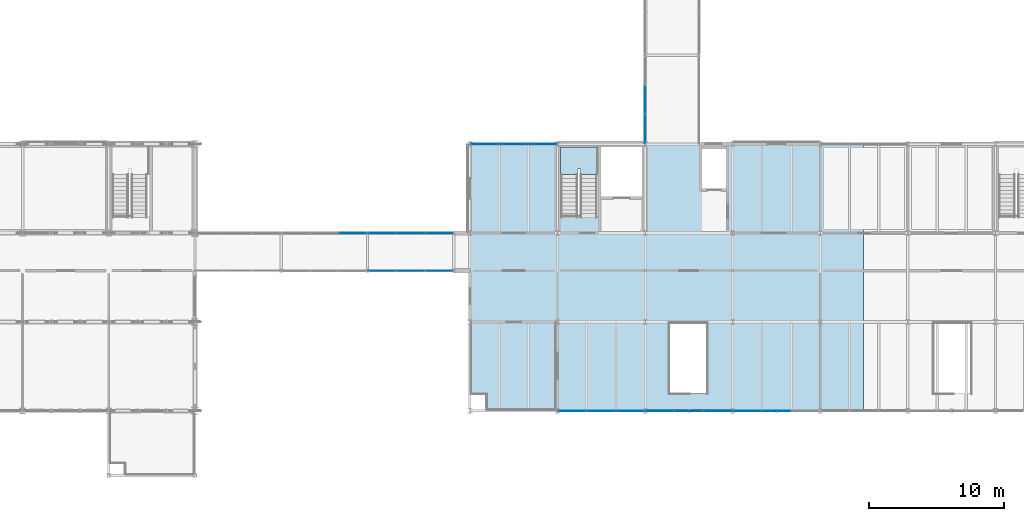
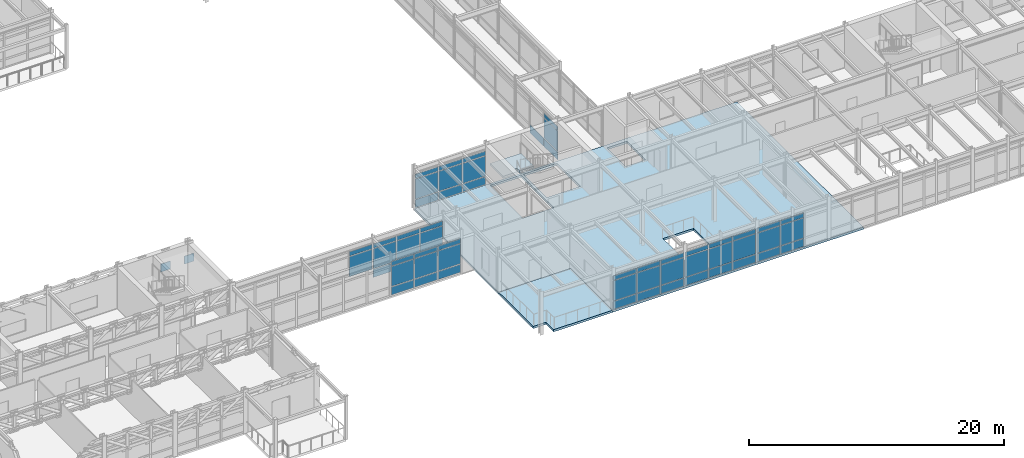
# One storey, part 96 of 144: 59 plates, 3 slabs, 9 elements without a shape of their own.
"""IFC4 building model written with IfcOpenShell, lengths in metres."""

from ifc_helpers import new_model, si_unit, direction, frame, origin, origin_2d, place, context, subcontext, project, spatial, polyline, rectangle, outline, extrude, material, layer, layer_set, type_object, element, aggregate, save


model = new_model("IFC4")

# Units and contexts
model_context = context("Model", 3, precision=1e-05, world=origin(), true_north=direction((0.0, 1.0)))
body_context = subcontext(model_context, "Body", "Model", "MODEL_VIEW")
ifc_project = project(units=[si_unit("LENGTHUNIT", "METRE"), si_unit("AREAUNIT", "SQUARE_METRE"), si_unit("VOLUMEUNIT", "CUBIC_METRE"), si_unit("PLANEANGLEUNIT", "RADIAN"), si_unit("MASSUNIT", "GRAM", prefix="KILO")], contexts=[model_context])

# Site, building, storey
site_placement = place(None, origin())
site = spatial("IfcSite", under=ifc_project, at=site_placement, CompositionType="ELEMENT")
building_placement = place(site_placement, origin())
building = spatial("IfcBuilding", under=site, at=building_placement, Name="Trelmorton Wharf Fire Station", CompositionType="ELEMENT")
storey_placement = place(building_placement, frame((0.0, 0.0, 5.39990234375)))
storey = spatial("IfcBuildingStorey", under=building, at=storey_placement, Name="L01", CompositionType="ELEMENT", Elevation=5.39990234375)

# Curtain wall, plates
ifc_material_1 = material(Name="Anodised aluminium AW-6063", Category="aluminium")
ifc_layer_1 = layer(ifc_material_1, 0.175048828125)
ifc_layer_set_1 = layer_set([ifc_layer_1], Name="Anodised aluminium AW-6063")
curtain_wall_type_1 = type_object("IfcCurtainWallType", Name="CW_CHIC_B", PredefinedType="USERDEFINED", material=ifc_layer_set_1)
curtain_wall_1_placement = place(storey_placement, origin())
curtain_wall_1 = element("IfcCurtainWall", 1, at=curtain_wall_1_placement, inside=storey, type_object=curtain_wall_type_1, Name="CW-V5-L01-038", ObjectType="CHICAGO BAY CURTAIN WALL", PredefinedType="USERDEFINED")
ifc_material_2 = material(Name="Tempered low-E double glazing", Category="glass")
ifc_layer_2 = layer(ifc_material_2, 0.028076171875)
ifc_layer_set_2 = layer_set([ifc_layer_2], Name="Tempered low-E double glazing")
plate_type_1 = type_object("IfcPlateType", Name="CWP_GLAZ_28", PredefinedType="CURTAIN_PANEL", material=ifc_layer_set_2)
plate_1_placement = place(storey_placement, frame((115.8984375, 7.800048828125, 0.06005859375), z_axis=(0.0, 0.0, 1.0), x_axis=(-1.0, 0.0, 0.0)))
plate_1 = element("IfcPlate", 2, at=plate_1_placement, type_object=plate_type_1, Name="CW2 panel 1.1", PredefinedType="CURTAIN_PANEL", context=body_context, shape_type="SweptSolid", body=[
    extrude(rectangle(XDim=2.0732421875, YDim=0.028076171875, at=origin_2d()), origin(), (0.0, 0.0, 1.0), 0.760009765625),
])
plate_2_placement = place(storey_placement, frame((115.8984375, 7.800048828125, 0.88037109375), z_axis=(0.0, 0.0, 1.0), x_axis=(-1.0, 0.0, 0.0)))
plate_2 = element("IfcPlate", 3, at=plate_2_placement, type_object=plate_type_1, Name="CW2 panel 1.2", PredefinedType="CURTAIN_PANEL", context=body_context, shape_type="SweptSolid", body=[
    extrude(rectangle(XDim=2.0732421875, YDim=0.028076171875, at=origin_2d()), origin(), (0.0, 0.0, 1.0), 1.909912109375),
])
plate_3_placement = place(storey_placement, frame((115.8984375, 7.800048828125, 2.85009765625), z_axis=(0.0, 0.0, 1.0), x_axis=(-1.0, 0.0, 0.0)))
plate_3 = element("IfcPlate", 4, at=plate_3_placement, type_object=plate_type_1, Name="CW2 panel 1.3", PredefinedType="CURTAIN_PANEL", context=body_context, shape_type="SweptSolid", body=[
    extrude(rectangle(XDim=2.0732421875, YDim=0.028076171875, at=origin_2d()), origin(), (0.0, 0.0, 1.0), 0.409912109375),
])
plate_4_placement = place(storey_placement, frame((113.75, 7.800048828125, 0.06005859375), z_axis=(0.0, 0.0, 1.0), x_axis=(-1.0, 0.0, 0.0)))
plate_4 = element("IfcPlate", 5, at=plate_4_placement, type_object=plate_type_1, Name="CW2 panel 2.1", PredefinedType="CURTAIN_PANEL", context=body_context, shape_type="SweptSolid", body=[
    extrude(rectangle(XDim=2.103271484375, YDim=0.028076171875, at=origin_2d()), origin(), (0.0, 0.0, 1.0), 0.760009765625),
])
plate_5_placement = place(storey_placement, frame((113.75, 7.800048828125, 0.88037109375), z_axis=(0.0, 0.0, 1.0), x_axis=(-1.0, 0.0, 0.0)))
plate_5 = element("IfcPlate", 6, at=plate_5_placement, type_object=plate_type_1, Name="CW2 panel 2.2", PredefinedType="CURTAIN_PANEL", context=body_context, shape_type="SweptSolid", body=[
    extrude(rectangle(XDim=2.103271484375, YDim=0.028076171875, at=origin_2d()), origin(), (0.0, 0.0, 1.0), 1.909912109375),
])
plate_6_placement = place(storey_placement, frame((113.75, 7.800048828125, 2.85009765625), z_axis=(0.0, 0.0, 1.0), x_axis=(-1.0, 0.0, 0.0)))
plate_6 = element("IfcPlate", 7, at=plate_6_placement, type_object=plate_type_1, Name="CW2 panel 2.3", PredefinedType="CURTAIN_PANEL", context=body_context, shape_type="SweptSolid", body=[
    extrude(rectangle(XDim=2.103271484375, YDim=0.028076171875, at=origin_2d()), origin(), (0.0, 0.0, 1.0), 0.409912109375),
])
plate_7_placement = place(storey_placement, frame((111.6015625, 7.800048828125, 0.06005859375), z_axis=(0.0, 0.0, 1.0), x_axis=(-1.0, 0.0, 0.0)))
plate_7 = element("IfcPlate", 8, at=plate_7_placement, type_object=plate_type_1, Name="CW2 panel 3.1", PredefinedType="CURTAIN_PANEL", context=body_context, shape_type="SweptSolid", body=[
    extrude(rectangle(XDim=2.0732421875, YDim=0.028076171875, at=origin_2d()), origin(), (0.0, 0.0, 1.0), 0.760009765625),
])
plate_8_placement = place(storey_placement, frame((111.6015625, 7.800048828125, 0.88037109375), z_axis=(0.0, 0.0, 1.0), x_axis=(-1.0, 0.0, 0.0)))
plate_8 = element("IfcPlate", 9, at=plate_8_placement, type_object=plate_type_1, Name="CW2 panel 3.2", PredefinedType="CURTAIN_PANEL", context=body_context, shape_type="SweptSolid", body=[
    extrude(rectangle(XDim=2.0732421875, YDim=0.028076171875, at=origin_2d()), origin(), (0.0, 0.0, 1.0), 1.909912109375),
])
plate_9_placement = place(storey_placement, frame((111.6015625, 7.800048828125, 2.85009765625), z_axis=(0.0, 0.0, 1.0), x_axis=(-1.0, 0.0, 0.0)))
plate_9 = element("IfcPlate", 10, at=plate_9_placement, type_object=plate_type_1, Name="CW2 panel 3.3", PredefinedType="CURTAIN_PANEL", context=body_context, shape_type="SweptSolid", body=[
    extrude(rectangle(XDim=2.0732421875, YDim=0.028076171875, at=origin_2d()), origin(), (0.0, 0.0, 1.0), 0.409912109375),
])
aggregate(curtain_wall_1, [plate_1, plate_2, plate_3, plate_4, plate_5, plate_6, plate_7, plate_8, plate_9])

curtain_wall_2_placement = place(storey_placement, origin())
curtain_wall_2 = element("IfcCurtainWall", 11, at=curtain_wall_2_placement, inside=storey, type_object=curtain_wall_type_1, Name="CW-V5-L01-040", ObjectType="CHICAGO BAY CURTAIN WALL", PredefinedType="USERDEFINED")
plate_10_placement = place(storey_placement, frame((126.75, 7.800048828125, 0.06005859375), z_axis=(0.0, 0.0, 1.0), x_axis=(-1.0, 0.0, 0.0)))
plate_10 = element("IfcPlate", 12, at=plate_10_placement, type_object=plate_type_1, Name="CW2 panel 2.1", PredefinedType="CURTAIN_PANEL", context=body_context, shape_type="SweptSolid", body=[
    extrude(rectangle(XDim=2.103271484375, YDim=0.028076171875, at=origin_2d()), origin(), (0.0, 0.0, 1.0), 0.760009765625),
])
plate_11_placement = place(storey_placement, frame((126.75, 7.800048828125, 0.88037109375), z_axis=(0.0, 0.0, 1.0), x_axis=(-1.0, 0.0, 0.0)))
plate_11 = element("IfcPlate", 13, at=plate_11_placement, type_object=plate_type_1, Name="CW2 panel 2.2", PredefinedType="CURTAIN_PANEL", context=body_context, shape_type="SweptSolid", body=[
    extrude(rectangle(XDim=2.103271484375, YDim=0.028076171875, at=origin_2d()), origin(), (0.0, 0.0, 1.0), 1.909912109375),
])
plate_12_placement = place(storey_placement, frame((126.75, 7.800048828125, 2.85009765625), z_axis=(0.0, 0.0, 1.0), x_axis=(-1.0, 0.0, 0.0)))
plate_12 = element("IfcPlate", 14, at=plate_12_placement, type_object=plate_type_1, Name="CW2 panel 2.3", PredefinedType="CURTAIN_PANEL", context=body_context, shape_type="SweptSolid", body=[
    extrude(rectangle(XDim=2.103271484375, YDim=0.028076171875, at=origin_2d()), origin(), (0.0, 0.0, 1.0), 0.409912109375),
])
plate_13_placement = place(storey_placement, frame((124.6015625, 7.800048828125, 0.06005859375), z_axis=(0.0, 0.0, 1.0), x_axis=(-1.0, 0.0, 0.0)))
plate_13 = element("IfcPlate", 15, at=plate_13_placement, type_object=plate_type_1, Name="CW2 panel 3.1", PredefinedType="CURTAIN_PANEL", context=body_context, shape_type="SweptSolid", body=[
    extrude(rectangle(XDim=2.0732421875, YDim=0.028076171875, at=origin_2d()), origin(), (0.0, 0.0, 1.0), 0.760009765625),
])
plate_14_placement = place(storey_placement, frame((124.6015625, 7.800048828125, 0.88037109375), z_axis=(0.0, 0.0, 1.0), x_axis=(-1.0, 0.0, 0.0)))
plate_14 = element("IfcPlate", 16, at=plate_14_placement, type_object=plate_type_1, Name="CW2 panel 3.2", PredefinedType="CURTAIN_PANEL", context=body_context, shape_type="SweptSolid", body=[
    extrude(rectangle(XDim=2.0732421875, YDim=0.028076171875, at=origin_2d()), origin(), (0.0, 0.0, 1.0), 1.909912109375),
])
plate_15_placement = place(storey_placement, frame((124.6015625, 7.800048828125, 2.85009765625), z_axis=(0.0, 0.0, 1.0), x_axis=(-1.0, 0.0, 0.0)))
plate_15 = element("IfcPlate", 17, at=plate_15_placement, type_object=plate_type_1, Name="CW2 panel 3.3", PredefinedType="CURTAIN_PANEL", context=body_context, shape_type="SweptSolid", body=[
    extrude(rectangle(XDim=2.0732421875, YDim=0.028076171875, at=origin_2d()), origin(), (0.0, 0.0, 1.0), 0.409912109375),
])
aggregate(curtain_wall_2, [plate_10, plate_11, plate_12, plate_13, plate_14, plate_15])

ifc_layer_3 = layer(ifc_material_1, 0.14990234375)
ifc_layer_set_3 = layer_set([ifc_layer_3], Name="Anodised aluminium AW-6063")
curtain_wall_type_2 = type_object("IfcCurtainWallType", Name="CW_UNIT_A", PredefinedType="USERDEFINED", material=ifc_layer_set_3)
curtain_wall_3_placement = place(storey_placement, origin())
curtain_wall_3 = element("IfcCurtainWall", 18, at=curtain_wall_3_placement, inside=storey, type_object=curtain_wall_type_2, Name="CW-V5-L01-046", ObjectType="UNITISED CURTAIN WALL", PredefinedType="USERDEFINED")
plate_16_placement = place(storey_placement, frame((105.1015625, 27.60009765625, 0.06005859375), z_axis=(0.0, 0.0, 1.0), x_axis=(1.0, 0.0, 0.0)))
plate_16 = element("IfcPlate", 19, at=plate_16_placement, type_object=plate_type_1, Name="CW3 panel 1.1", PredefinedType="CURTAIN_PANEL", context=body_context, shape_type="SweptSolid", body=[
    extrude(rectangle(XDim=2.0732421875, YDim=0.028076171875, at=origin_2d()), origin(), (0.0, 0.0, 1.0), 0.760009765625),
])
plate_17_placement = place(storey_placement, frame((105.1015625, 27.60009765625, 0.88037109375), z_axis=(0.0, 0.0, 1.0), x_axis=(1.0, 0.0, 0.0)))
plate_17 = element("IfcPlate", 20, at=plate_17_placement, type_object=plate_type_1, Name="CW3 panel 1.2", PredefinedType="CURTAIN_PANEL", context=body_context, shape_type="SweptSolid", body=[
    extrude(rectangle(XDim=2.0732421875, YDim=0.028076171875, at=origin_2d()), origin(), (0.0, 0.0, 1.0), 1.909912109375),
])
plate_18_placement = place(storey_placement, frame((105.1015625, 27.60009765625, 2.85009765625), z_axis=(0.0, 0.0, 1.0), x_axis=(1.0, 0.0, 0.0)))
plate_18 = element("IfcPlate", 21, at=plate_18_placement, type_object=plate_type_1, Name="CW3 panel 1.3", PredefinedType="CURTAIN_PANEL", context=body_context, shape_type="SweptSolid", body=[
    extrude(rectangle(XDim=2.0732421875, YDim=0.028076171875, at=origin_2d()), origin(), (0.0, 0.0, 1.0), 0.409912109375),
])
plate_19_placement = place(storey_placement, frame((107.25, 27.60009765625, 0.06005859375), z_axis=(0.0, 0.0, 1.0), x_axis=(1.0, 0.0, 0.0)))
plate_19 = element("IfcPlate", 22, at=plate_19_placement, type_object=plate_type_1, Name="CW3 panel 2.1", PredefinedType="CURTAIN_PANEL", context=body_context, shape_type="SweptSolid", body=[
    extrude(rectangle(XDim=2.103271484375, YDim=0.028076171875, at=origin_2d()), origin(), (0.0, 0.0, 1.0), 0.760009765625),
])
plate_20_placement = place(storey_placement, frame((107.25, 27.60009765625, 0.88037109375), z_axis=(0.0, 0.0, 1.0), x_axis=(1.0, 0.0, 0.0)))
plate_20 = element("IfcPlate", 23, at=plate_20_placement, type_object=plate_type_1, Name="CW3 panel 2.2", PredefinedType="CURTAIN_PANEL", context=body_context, shape_type="SweptSolid", body=[
    extrude(rectangle(XDim=2.103271484375, YDim=0.028076171875, at=origin_2d()), origin(), (0.0, 0.0, 1.0), 1.909912109375),
])
plate_21_placement = place(storey_placement, frame((107.25, 27.60009765625, 2.85009765625), z_axis=(0.0, 0.0, 1.0), x_axis=(1.0, 0.0, 0.0)))
plate_21 = element("IfcPlate", 24, at=plate_21_placement, type_object=plate_type_1, Name="CW3 panel 2.3", PredefinedType="CURTAIN_PANEL", context=body_context, shape_type="SweptSolid", body=[
    extrude(rectangle(XDim=2.103271484375, YDim=0.028076171875, at=origin_2d()), origin(), (0.0, 0.0, 1.0), 0.409912109375),
])
plate_22_placement = place(storey_placement, frame((109.3984375, 27.60009765625, 0.06005859375), z_axis=(0.0, 0.0, 1.0), x_axis=(1.0, 0.0, 0.0)))
plate_22 = element("IfcPlate", 25, at=plate_22_placement, type_object=plate_type_1, Name="CW3 panel 3.1", PredefinedType="CURTAIN_PANEL", context=body_context, shape_type="SweptSolid", body=[
    extrude(rectangle(XDim=2.0732421875, YDim=0.028076171875, at=origin_2d()), origin(), (0.0, 0.0, 1.0), 0.760009765625),
])
plate_23_placement = place(storey_placement, frame((109.3984375, 27.60009765625, 0.88037109375), z_axis=(0.0, 0.0, 1.0), x_axis=(1.0, 0.0, 0.0)))
plate_23 = element("IfcPlate", 26, at=plate_23_placement, type_object=plate_type_1, Name="CW3 panel 3.2", PredefinedType="CURTAIN_PANEL", context=body_context, shape_type="SweptSolid", body=[
    extrude(rectangle(XDim=2.0732421875, YDim=0.028076171875, at=origin_2d()), origin(), (0.0, 0.0, 1.0), 1.909912109375),
])
plate_24_placement = place(storey_placement, frame((109.3984375, 27.60009765625, 2.85009765625), z_axis=(0.0, 0.0, 1.0), x_axis=(1.0, 0.0, 0.0)))
plate_24 = element("IfcPlate", 27, at=plate_24_placement, type_object=plate_type_1, Name="CW3 panel 3.3", PredefinedType="CURTAIN_PANEL", context=body_context, shape_type="SweptSolid", body=[
    extrude(rectangle(XDim=2.0732421875, YDim=0.028076171875, at=origin_2d()), origin(), (0.0, 0.0, 1.0), 0.409912109375),
])
aggregate(curtain_wall_3, [plate_16, plate_17, plate_18, plate_19, plate_20, plate_21, plate_22, plate_23, plate_24])

ifc_layer_4 = layer(ifc_material_1, 0.139892578125)
ifc_layer_set_4 = layer_set([ifc_layer_4], Name="Anodised aluminium AW-6063")
curtain_wall_type_3 = type_object("IfcCurtainWallType", Name="CW_BRDG_A", PredefinedType="USERDEFINED", material=ifc_layer_set_4)
curtain_wall_4_placement = place(storey_placement, origin())
curtain_wall_4 = element("IfcCurtainWall", 28, at=curtain_wall_4_placement, inside=storey, type_object=curtain_wall_type_3, Name="CW-BR-L01-157", ObjectType="UNITISED CURTAIN WALL", PredefinedType="USERDEFINED")
plate_25_placement = place(storey_placement, frame((95.31494140625, 21.0, 0.88037109375), z_axis=(0.0, 0.0, 1.0), x_axis=(1.0, 0.0, 0.0)))
plate_25 = element("IfcPlate", 29, at=plate_25_placement, type_object=plate_type_1, Name="CW4 panel 3.2", PredefinedType="CURTAIN_PANEL", context=body_context, shape_type="SweptSolid", body=[
    extrude(rectangle(XDim=2.0400390625, YDim=0.028076171875, at=origin_2d()), origin(), (0.0, 0.0, 1.0), 1.909912109375),
])
plate_26_placement = place(storey_placement, frame((95.31494140625, 21.0, 2.85009765625), z_axis=(0.0, 0.0, 1.0), x_axis=(1.0, 0.0, 0.0)))
plate_26 = element("IfcPlate", 30, at=plate_26_placement, type_object=plate_type_1, Name="CW4 panel 3.3", PredefinedType="CURTAIN_PANEL", context=body_context, shape_type="SweptSolid", body=[
    extrude(rectangle(XDim=2.0400390625, YDim=0.028076171875, at=origin_2d()), origin(), (0.0, 0.0, 1.0), 0.409912109375),
])
aggregate(curtain_wall_4, [plate_25, plate_26])

curtain_wall_5_placement = place(storey_placement, origin())
curtain_wall_5 = element("IfcCurtainWall", 31, at=curtain_wall_5_placement, inside=storey, type_object=curtain_wall_type_3, Name="CW-BR-L01-158", ObjectType="UNITISED CURTAIN WALL", PredefinedType="USERDEFINED")
plate_27_placement = place(storey_placement, frame((101.715087890625, 18.199951171875, 0.06005859375), z_axis=(0.0, 0.0, 1.0), x_axis=(-1.0, 0.0, 0.0)))
plate_27 = element("IfcPlate", 32, at=plate_27_placement, type_object=plate_type_1, Name="CW4 panel 1.1", PredefinedType="CURTAIN_PANEL", context=body_context, shape_type="SweptSolid", body=[
    extrude(rectangle(XDim=2.0400390625, YDim=0.028076171875, at=origin_2d()), origin(), (0.0, 0.0, 1.0), 0.760009765625),
])
plate_28_placement = place(storey_placement, frame((101.715087890625, 18.199951171875, 0.88037109375), z_axis=(0.0, 0.0, 1.0), x_axis=(-1.0, 0.0, 0.0)))
plate_28 = element("IfcPlate", 33, at=plate_28_placement, type_object=plate_type_1, Name="CW4 panel 1.2", PredefinedType="CURTAIN_PANEL", context=body_context, shape_type="SweptSolid", body=[
    extrude(rectangle(XDim=2.0400390625, YDim=0.028076171875, at=origin_2d()), origin(), (0.0, 0.0, 1.0), 1.909912109375),
])
plate_29_placement = place(storey_placement, frame((101.715087890625, 18.199951171875, 2.85009765625), z_axis=(0.0, 0.0, 1.0), x_axis=(-1.0, 0.0, 0.0)))
plate_29 = element("IfcPlate", 34, at=plate_29_placement, type_object=plate_type_1, Name="CW4 panel 1.3", PredefinedType="CURTAIN_PANEL", context=body_context, shape_type="SweptSolid", body=[
    extrude(rectangle(XDim=2.0400390625, YDim=0.028076171875, at=origin_2d()), origin(), (0.0, 0.0, 1.0), 0.409912109375),
])
plate_30_placement = place(storey_placement, frame((99.60009765625, 18.199951171875, 0.06005859375), z_axis=(0.0, 0.0, 1.0), x_axis=(-1.0, 0.0, 0.0)))
plate_30 = element("IfcPlate", 35, at=plate_30_placement, type_object=plate_type_1, Name="CW4 panel 2.1", PredefinedType="CURTAIN_PANEL", context=body_context, shape_type="SweptSolid", body=[
    extrude(rectangle(XDim=2.070068359375, YDim=0.028076171875, at=origin_2d()), origin(), (0.0, 0.0, 1.0), 0.760009765625),
])
plate_31_placement = place(storey_placement, frame((99.60009765625, 18.199951171875, 0.88037109375), z_axis=(0.0, 0.0, 1.0), x_axis=(-1.0, 0.0, 0.0)))
plate_31 = element("IfcPlate", 36, at=plate_31_placement, type_object=plate_type_1, Name="CW4 panel 2.2", PredefinedType="CURTAIN_PANEL", context=body_context, shape_type="SweptSolid", body=[
    extrude(rectangle(XDim=2.070068359375, YDim=0.028076171875, at=origin_2d()), origin(), (0.0, 0.0, 1.0), 1.909912109375),
])
plate_32_placement = place(storey_placement, frame((99.60009765625, 18.199951171875, 2.85009765625), z_axis=(0.0, 0.0, 1.0), x_axis=(-1.0, 0.0, 0.0)))
plate_32 = element("IfcPlate", 37, at=plate_32_placement, type_object=plate_type_1, Name="CW4 panel 2.3", PredefinedType="CURTAIN_PANEL", context=body_context, shape_type="SweptSolid", body=[
    extrude(rectangle(XDim=2.070068359375, YDim=0.028076171875, at=origin_2d()), origin(), (0.0, 0.0, 1.0), 0.409912109375),
])
plate_33_placement = place(storey_placement, frame((97.485107421875, 18.199951171875, 0.06005859375), z_axis=(0.0, 0.0, 1.0), x_axis=(-1.0, 0.0, 0.0)))
plate_33 = element("IfcPlate", 38, at=plate_33_placement, type_object=plate_type_1, Name="CW4 panel 3.1", PredefinedType="CURTAIN_PANEL", context=body_context, shape_type="SweptSolid", body=[
    extrude(rectangle(XDim=2.0400390625, YDim=0.028076171875, at=origin_2d()), origin(), (0.0, 0.0, 1.0), 0.760009765625),
])
plate_34_placement = place(storey_placement, frame((97.485107421875, 18.199951171875, 0.88037109375), z_axis=(0.0, 0.0, 1.0), x_axis=(-1.0, 0.0, 0.0)))
plate_34 = element("IfcPlate", 39, at=plate_34_placement, type_object=plate_type_1, Name="CW4 panel 3.2", PredefinedType="CURTAIN_PANEL", context=body_context, shape_type="SweptSolid", body=[
    extrude(rectangle(XDim=2.0400390625, YDim=0.028076171875, at=origin_2d()), origin(), (0.0, 0.0, 1.0), 1.909912109375),
])
plate_35_placement = place(storey_placement, frame((97.485107421875, 18.199951171875, 2.85009765625), z_axis=(0.0, 0.0, 1.0), x_axis=(-1.0, 0.0, 0.0)))
plate_35 = element("IfcPlate", 40, at=plate_35_placement, type_object=plate_type_1, Name="CW4 panel 3.3", PredefinedType="CURTAIN_PANEL", context=body_context, shape_type="SweptSolid", body=[
    extrude(rectangle(XDim=2.0400390625, YDim=0.028076171875, at=origin_2d()), origin(), (0.0, 0.0, 1.0), 0.409912109375),
])
aggregate(curtain_wall_5, [plate_27, plate_28, plate_29, plate_30, plate_31, plate_32, plate_33, plate_34, plate_35])

curtain_wall_6_placement = place(storey_placement, origin())
curtain_wall_6 = element("IfcCurtainWall", 41, at=curtain_wall_6_placement, inside=storey, type_object=curtain_wall_type_3, Name="CW-BR-L01-160", ObjectType="UNITISED CURTAIN WALL", PredefinedType="USERDEFINED")
plate_36_placement = place(storey_placement, frame((117.0, 28.71826171875, 0.06005859375), z_axis=(0.0, 0.0, 1.0), x_axis=(0.0, 1.0, 0.0)))
plate_36 = element("IfcPlate", 42, at=plate_36_placement, type_object=plate_type_1, Name="CW4 panel 1.1", PredefinedType="CURTAIN_PANEL", context=body_context, shape_type="SweptSolid", body=[
    extrude(rectangle(XDim=2.106689453125, YDim=0.028076171875, at=origin_2d()), origin(), (0.0, 0.0, 1.0), 0.760009765625),
])
plate_37_placement = place(storey_placement, frame((117.0, 28.71826171875, 0.88037109375), z_axis=(0.0, 0.0, 1.0), x_axis=(0.0, 1.0, 0.0)))
plate_37 = element("IfcPlate", 43, at=plate_37_placement, type_object=plate_type_1, Name="CW4 panel 1.2", PredefinedType="CURTAIN_PANEL", context=body_context, shape_type="SweptSolid", body=[
    extrude(rectangle(XDim=2.106689453125, YDim=0.028076171875, at=origin_2d()), origin(), (0.0, 0.0, 1.0), 1.909912109375),
])
plate_38_placement = place(storey_placement, frame((117.0, 28.71826171875, 2.85009765625), z_axis=(0.0, 0.0, 1.0), x_axis=(0.0, 1.0, 0.0)))
plate_38 = element("IfcPlate", 44, at=plate_38_placement, type_object=plate_type_1, Name="CW4 panel 1.3", PredefinedType="CURTAIN_PANEL", context=body_context, shape_type="SweptSolid", body=[
    extrude(rectangle(XDim=2.106689453125, YDim=0.028076171875, at=origin_2d()), origin(), (0.0, 0.0, 1.0), 0.409912109375),
])
plate_39_placement = place(storey_placement, frame((117.0, 30.89990234375, 0.06005859375), z_axis=(0.0, 0.0, 1.0), x_axis=(0.0, 1.0, 0.0)))
plate_39 = element("IfcPlate", 45, at=plate_39_placement, type_object=plate_type_1, Name="CW4 panel 2.1", PredefinedType="CURTAIN_PANEL", context=body_context, shape_type="SweptSolid", body=[
    extrude(rectangle(XDim=2.13671875, YDim=0.028076171875, at=origin_2d()), origin(), (0.0, 0.0, 1.0), 0.760009765625),
])
aggregate(curtain_wall_6, [plate_36, plate_37, plate_38, plate_39])

ifc_layer_5 = layer(ifc_material_1, 0.159912109375)
ifc_layer_set_5 = layer_set([ifc_layer_5], Name="Anodised aluminium AW-6063")
curtain_wall_type_4 = type_object("IfcCurtainWallType", Name="CW_CHIC_A", PredefinedType="USERDEFINED", material=ifc_layer_set_5)
curtain_wall_7_placement = place(storey_placement, origin())
curtain_wall_7 = element("IfcCurtainWall", 46, at=curtain_wall_7_placement, inside=storey, type_object=curtain_wall_type_4, Name="CW-V5-L01-039", ObjectType="CHICAGO BAY CURTAIN WALL", PredefinedType="USERDEFINED")
ifc_layer_6 = layer(ifc_material_2, 0.028076171875)
ifc_layer_set_6 = layer_set([ifc_layer_6], Name="Tempered low-E double glazing")
plate_type_2 = type_object("IfcPlateType", Name="CWP_GLAZ_38", PredefinedType="CURTAIN_PANEL", material=ifc_layer_set_6)
plate_40_placement = place(storey_placement, frame((122.3984375, 7.800048828125, 0.06005859375), z_axis=(0.0, 0.0, 1.0), x_axis=(-1.0, 0.0, 0.0)))
plate_40 = element("IfcPlate", 47, at=plate_40_placement, type_object=plate_type_2, Name="CW1 panel 1.1", PredefinedType="CURTAIN_PANEL", context=body_context, shape_type="SweptSolid", body=[
    extrude(rectangle(XDim=2.0732421875, YDim=0.028076171875, at=origin_2d()), origin(), (0.0, 0.0, 1.0), 0.760009765625),
])
plate_41_placement = place(storey_placement, frame((122.3984375, 7.800048828125, 0.88037109375), z_axis=(0.0, 0.0, 1.0), x_axis=(-1.0, 0.0, 0.0)))
plate_41 = element("IfcPlate", 48, at=plate_41_placement, type_object=plate_type_2, Name="CW1 panel 1.2", PredefinedType="CURTAIN_PANEL", context=body_context, shape_type="SweptSolid", body=[
    extrude(rectangle(XDim=2.0732421875, YDim=0.028076171875, at=origin_2d()), origin(), (0.0, 0.0, 1.0), 1.909912109375),
])
plate_42_placement = place(storey_placement, frame((122.3984375, 7.800048828125, 2.85009765625), z_axis=(0.0, 0.0, 1.0), x_axis=(-1.0, 0.0, 0.0)))
plate_42 = element("IfcPlate", 49, at=plate_42_placement, type_object=plate_type_2, Name="CW1 panel 1.3", PredefinedType="CURTAIN_PANEL", context=body_context, shape_type="SweptSolid", body=[
    extrude(rectangle(XDim=2.0732421875, YDim=0.028076171875, at=origin_2d()), origin(), (0.0, 0.0, 1.0), 0.409912109375),
])
plate_43_placement = place(storey_placement, frame((120.25, 7.800048828125, 0.06005859375), z_axis=(0.0, 0.0, 1.0), x_axis=(-1.0, 0.0, 0.0)))
plate_43 = element("IfcPlate", 50, at=plate_43_placement, type_object=plate_type_2, Name="CW1 panel 2.1", PredefinedType="CURTAIN_PANEL", context=body_context, shape_type="SweptSolid", body=[
    extrude(rectangle(XDim=2.103271484375, YDim=0.028076171875, at=origin_2d()), origin(), (0.0, 0.0, 1.0), 0.760009765625),
])
plate_44_placement = place(storey_placement, frame((120.25, 7.800048828125, 0.88037109375), z_axis=(0.0, 0.0, 1.0), x_axis=(-1.0, 0.0, 0.0)))
plate_44 = element("IfcPlate", 51, at=plate_44_placement, type_object=plate_type_2, Name="CW1 panel 2.2", PredefinedType="CURTAIN_PANEL", context=body_context, shape_type="SweptSolid", body=[
    extrude(rectangle(XDim=2.103271484375, YDim=0.028076171875, at=origin_2d()), origin(), (0.0, 0.0, 1.0), 1.909912109375),
])
plate_45_placement = place(storey_placement, frame((120.25, 7.800048828125, 2.85009765625), z_axis=(0.0, 0.0, 1.0), x_axis=(-1.0, 0.0, 0.0)))
plate_45 = element("IfcPlate", 52, at=plate_45_placement, type_object=plate_type_2, Name="CW1 panel 2.3", PredefinedType="CURTAIN_PANEL", context=body_context, shape_type="SweptSolid", body=[
    extrude(rectangle(XDim=2.103271484375, YDim=0.028076171875, at=origin_2d()), origin(), (0.0, 0.0, 1.0), 0.409912109375),
])
plate_46_placement = place(storey_placement, frame((118.1015625, 7.800048828125, 0.06005859375), z_axis=(0.0, 0.0, 1.0), x_axis=(-1.0, 0.0, 0.0)))
plate_46 = element("IfcPlate", 53, at=plate_46_placement, type_object=plate_type_2, Name="CW1 panel 3.1", PredefinedType="CURTAIN_PANEL", context=body_context, shape_type="SweptSolid", body=[
    extrude(rectangle(XDim=2.0732421875, YDim=0.028076171875, at=origin_2d()), origin(), (0.0, 0.0, 1.0), 0.760009765625),
])
plate_47_placement = place(storey_placement, frame((118.1015625, 7.800048828125, 0.88037109375), z_axis=(0.0, 0.0, 1.0), x_axis=(-1.0, 0.0, 0.0)))
plate_47 = element("IfcPlate", 54, at=plate_47_placement, type_object=plate_type_2, Name="CW1 panel 3.2", PredefinedType="CURTAIN_PANEL", context=body_context, shape_type="SweptSolid", body=[
    extrude(rectangle(XDim=2.0732421875, YDim=0.028076171875, at=origin_2d()), origin(), (0.0, 0.0, 1.0), 1.909912109375),
])
plate_48_placement = place(storey_placement, frame((118.1015625, 7.800048828125, 2.85009765625), z_axis=(0.0, 0.0, 1.0), x_axis=(-1.0, 0.0, 0.0)))
plate_48 = element("IfcPlate", 55, at=plate_48_placement, type_object=plate_type_2, Name="CW1 panel 3.3", PredefinedType="CURTAIN_PANEL", context=body_context, shape_type="SweptSolid", body=[
    extrude(rectangle(XDim=2.0732421875, YDim=0.028076171875, at=origin_2d()), origin(), (0.0, 0.0, 1.0), 0.409912109375),
])
aggregate(curtain_wall_7, [plate_40, plate_41, plate_42, plate_43, plate_44, plate_45, plate_46, plate_47, plate_48])

curtain_wall_8_placement = place(storey_placement, origin())
curtain_wall_8 = element("IfcCurtainWall", 56, at=curtain_wall_8_placement, inside=storey, type_object=curtain_wall_type_3, Name="CW-BR-L01-159", ObjectType="UNITISED CURTAIN WALL", PredefinedType="USERDEFINED")
plate_49_placement = place(storey_placement, frame((97.485107421875, 21.0, 0.06005859375), z_axis=(0.0, 0.0, 1.0), x_axis=(1.0, 0.0, 0.0)))
plate_49 = element("IfcPlate", 57, at=plate_49_placement, type_object=plate_type_2, Name="CW4 panel 1.1", PredefinedType="CURTAIN_PANEL", context=body_context, shape_type="SweptSolid", body=[
    extrude(rectangle(XDim=2.0400390625, YDim=0.028076171875, at=origin_2d()), origin(), (0.0, 0.0, 1.0), 0.760009765625),
])
plate_50_placement = place(storey_placement, frame((97.485107421875, 21.0, 0.88037109375), z_axis=(0.0, 0.0, 1.0), x_axis=(1.0, 0.0, 0.0)))
plate_50 = element("IfcPlate", 58, at=plate_50_placement, type_object=plate_type_2, Name="CW4 panel 1.2", PredefinedType="CURTAIN_PANEL", context=body_context, shape_type="SweptSolid", body=[
    extrude(rectangle(XDim=2.0400390625, YDim=0.028076171875, at=origin_2d()), origin(), (0.0, 0.0, 1.0), 1.909912109375),
])
plate_51_placement = place(storey_placement, frame((97.485107421875, 21.0, 2.85009765625), z_axis=(0.0, 0.0, 1.0), x_axis=(1.0, 0.0, 0.0)))
plate_51 = element("IfcPlate", 59, at=plate_51_placement, type_object=plate_type_2, Name="CW4 panel 1.3", PredefinedType="CURTAIN_PANEL", context=body_context, shape_type="SweptSolid", body=[
    extrude(rectangle(XDim=2.0400390625, YDim=0.028076171875, at=origin_2d()), origin(), (0.0, 0.0, 1.0), 0.409912109375),
])
plate_52_placement = place(storey_placement, frame((99.60009765625, 21.0, 0.06005859375), z_axis=(0.0, 0.0, 1.0), x_axis=(1.0, 0.0, 0.0)))
plate_52 = element("IfcPlate", 60, at=plate_52_placement, type_object=plate_type_2, Name="CW4 panel 2.1", PredefinedType="CURTAIN_PANEL", context=body_context, shape_type="SweptSolid", body=[
    extrude(rectangle(XDim=2.070068359375, YDim=0.028076171875, at=origin_2d()), origin(), (0.0, 0.0, 1.0), 0.760009765625),
])
plate_53_placement = place(storey_placement, frame((99.60009765625, 21.0, 0.88037109375), z_axis=(0.0, 0.0, 1.0), x_axis=(1.0, 0.0, 0.0)))
plate_53 = element("IfcPlate", 61, at=plate_53_placement, type_object=plate_type_2, Name="CW4 panel 2.2", PredefinedType="CURTAIN_PANEL", context=body_context, shape_type="SweptSolid", body=[
    extrude(rectangle(XDim=2.070068359375, YDim=0.028076171875, at=origin_2d()), origin(), (0.0, 0.0, 1.0), 1.909912109375),
])
plate_54_placement = place(storey_placement, frame((99.60009765625, 21.0, 2.85009765625), z_axis=(0.0, 0.0, 1.0), x_axis=(1.0, 0.0, 0.0)))
plate_54 = element("IfcPlate", 62, at=plate_54_placement, type_object=plate_type_2, Name="CW4 panel 2.3", PredefinedType="CURTAIN_PANEL", context=body_context, shape_type="SweptSolid", body=[
    extrude(rectangle(XDim=2.070068359375, YDim=0.028076171875, at=origin_2d()), origin(), (0.0, 0.0, 1.0), 0.409912109375),
])
plate_55_placement = place(storey_placement, frame((101.715087890625, 21.0, 0.06005859375), z_axis=(0.0, 0.0, 1.0), x_axis=(1.0, 0.0, 0.0)))
plate_55 = element("IfcPlate", 63, at=plate_55_placement, type_object=plate_type_2, Name="CW4 panel 3.1", PredefinedType="CURTAIN_PANEL", context=body_context, shape_type="SweptSolid", body=[
    extrude(rectangle(XDim=2.0400390625, YDim=0.028076171875, at=origin_2d()), origin(), (0.0, 0.0, 1.0), 0.760009765625),
])
plate_56_placement = place(storey_placement, frame((101.715087890625, 21.0, 0.88037109375), z_axis=(0.0, 0.0, 1.0), x_axis=(1.0, 0.0, 0.0)))
plate_56 = element("IfcPlate", 64, at=plate_56_placement, type_object=plate_type_2, Name="CW4 panel 3.2", PredefinedType="CURTAIN_PANEL", context=body_context, shape_type="SweptSolid", body=[
    extrude(rectangle(XDim=2.0400390625, YDim=0.028076171875, at=origin_2d()), origin(), (0.0, 0.0, 1.0), 1.909912109375),
])
plate_57_placement = place(storey_placement, frame((101.715087890625, 21.0, 2.85009765625), z_axis=(0.0, 0.0, 1.0), x_axis=(1.0, 0.0, 0.0)))
plate_57 = element("IfcPlate", 65, at=plate_57_placement, type_object=plate_type_2, Name="CW4 panel 3.3", PredefinedType="CURTAIN_PANEL", context=body_context, shape_type="SweptSolid", body=[
    extrude(rectangle(XDim=2.0400390625, YDim=0.028076171875, at=origin_2d()), origin(), (0.0, 0.0, 1.0), 0.409912109375),
])
aggregate(curtain_wall_8, [plate_49, plate_50, plate_51, plate_52, plate_53, plate_54, plate_55, plate_56, plate_57])

# Plates
ifc_material_3 = material(Name="Steel Grade 350", Category="steel")
ifc_layer_7 = layer(ifc_material_3, 0.06005859375)
ifc_layer_set_7 = layer_set([ifc_layer_7], Name="Steel Grade 350")
plate_type_3 = type_object("IfcPlateType", Name="PL_GUSSET_KTN1", PredefinedType="USERDEFINED", material=ifc_layer_set_7)
for number, where, z_axis, x_axis, name in (
    (66, (81.466796875, 27.60009765625, 1.97509765625), (0.0, 0.0, 1.0), (1.0, 0.0, 0.0), "PL-KTN-0101"),
    (67, (83.587890625, 27.60009765625, 1.97509765625), (0.0, 0.0, 1.0), (1.0, 0.0, 0.0), "PL-KTN-0103"),
):
    element("IfcPlate", number, at=place(storey_placement, frame(where, z_axis=z_axis, x_axis=x_axis)), inside=storey, type_object=plate_type_3, Name=name, ObjectType="GUSSET PLATE", PredefinedType="USERDEFINED", context=body_context, shape_type="SweptSolid", body=[
        extrude(rectangle(XDim=0.85009765625, YDim=0.06005859375, at=origin_2d()), origin(), (0.0, 0.0, 1.0), 0.75),
    ])

# Slab
ifc_material_4 = material(Name="Concrete 40 MPa", Category="concrete")
ifc_layer_8 = layer(ifc_material_4, 0.199951171875)
ifc_layer_set_8 = layer_set([ifc_layer_8], Name="Concrete 40 MPa")
slab_type_1 = type_object("IfcSlabType", Name="SL_FLOOR_200", PredefinedType="FLOOR", material=ifc_layer_set_8)
slab_1_placement = place(storey_placement, frame((0.0, 0.0, -0.199951171875)))
element("IfcSlab", 68, at=slab_1_placement, inside=storey, type_object=slab_type_1, Name="SL-V5-L01-016", PredefinedType="FLOOR", context=body_context, shape_type="SweptSolid", body=[
    extrude(outline(polyline([(110.5, 7.800048828125), (110.5, 14.39990234375), (104.0, 14.39990234375), (104.0, 27.60009765625), (133.199951171875, 27.60009765625), (133.199951171875, 7.800048828125), (110.5, 7.800048828125)]), holes=[polyline([(113.510009765625, 22.239990234375), (113.510009765625, 27.3798828125), (110.719970703125, 27.3798828125), (110.719970703125, 22.239990234375), (113.510009765625, 22.239990234375)]), polyline([(113.739990234375, 23.719970703125), (116.780029296875, 23.719970703125), (116.780029296875, 27.3798828125), (113.739990234375, 27.3798828125), (113.739990234375, 23.719970703125)]), polyline([(121.219970703125, 27.22998046875), (121.219970703125, 24.31005859375), (123.02001953125, 24.31005859375), (123.02001953125, 27.22998046875), (121.219970703125, 27.22998046875)]), polyline([(118.820068359375, 9.10009765625), (121.580078125, 9.10009765625), (121.580078125, 14.300048828125), (118.820068359375, 14.300048828125), (118.820068359375, 9.10009765625)])]), origin(), (0.0, 0.0, 1.0), 0.199951171875),
])

# Stair, slab
ifc_material_5 = material(Name="Precast concrete 45 MPa", Category="concrete")
stair_type = type_object("IfcStairType", Name="ST_DOG_420", PredefinedType="HALF_TURN_STAIR", material=ifc_material_5)
stair_placement = place(storey_placement, origin())
stair = element("IfcStair", 69, at=stair_placement, inside=storey, type_object=stair_type, Name="Escape Stair ST4-L01", PredefinedType="HALF_TURN_STAIR")
ifc_layer_9 = layer(ifc_material_5, 0.199951171875)
ifc_layer_set_9 = layer_set([ifc_layer_9], Name="Precast concrete 45 MPa")
slab_type_2 = type_object("IfcSlabType", Name="SL_LAND_180", PredefinedType="LANDING", material=ifc_layer_set_9)
slab_2_placement = place(storey_placement, frame((0.0, 0.0, 1.900146484375)))
slab_2 = element("IfcSlab", 70, at=slab_2_placement, type_object=slab_type_2, Name="ST4-L01 landing 1", PredefinedType="LANDING", context=body_context, shape_type="SweptSolid", body=[
    extrude(outline(polyline([(110.72509765625, 25.330078125), (112.0, 25.330078125), (112.0, 25.75), (112.199951171875, 25.75), (112.199951171875, 25.330078125), (113.5048828125, 25.330078125), (113.5048828125, 27.375), (110.72509765625, 27.375), (110.72509765625, 25.330078125)])), origin(), (0.0, 0.0, 1.0), 0.199951171875),
])
aggregate(stair, [slab_2])

# Slab
ifc_layer_10 = layer(ifc_material_4, 0.2099609375)
ifc_layer_set_10 = layer_set([ifc_layer_10], Name="Concrete 40 MPa")
slab_type_3 = type_object("IfcSlabType", Name="SL_TERRACE_210", PredefinedType="FLOOR", material=ifc_layer_set_10)
slab_3_placement = place(storey_placement, frame((0.0, 0.0, -0.2099609375)))
element("IfcSlab", 71, at=slab_3_placement, inside=storey, type_object=slab_type_3, Name="SL-EXT-V5_RECESS_SW_L01", PredefinedType="FLOOR", context=body_context, shape_type="SweptSolid", body=[
    extrude(outline(polyline([(104.0, 14.39990234375), (110.5, 14.39990234375), (110.5, 7.800048828125), (105.169921875, 7.800048828125), (105.169921875, 8.988037109375), (104.0, 8.988037109375), (104.0, 14.39990234375)])), origin(), (0.0, 0.0, 1.0), 0.2099609375),
])

save(model, "model.ifc")
